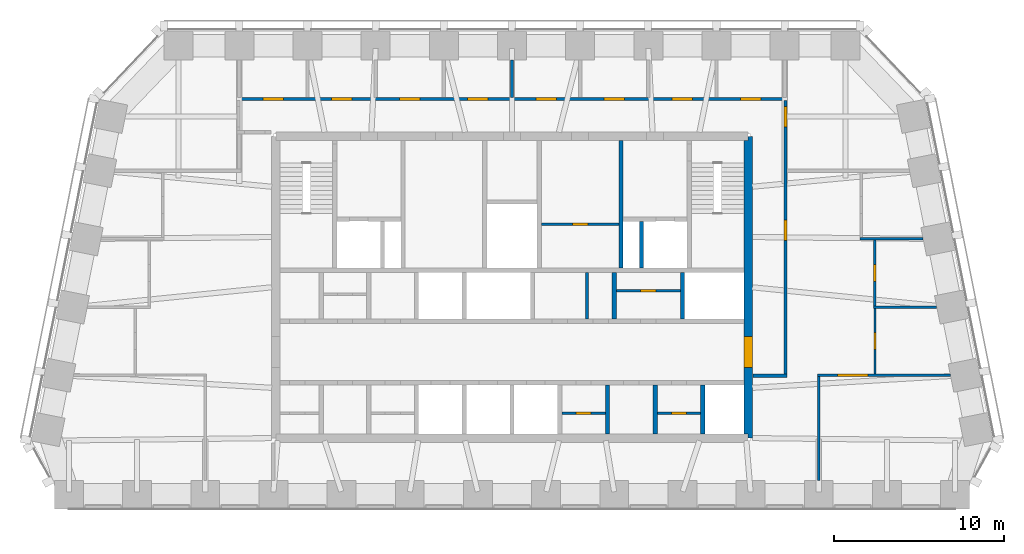
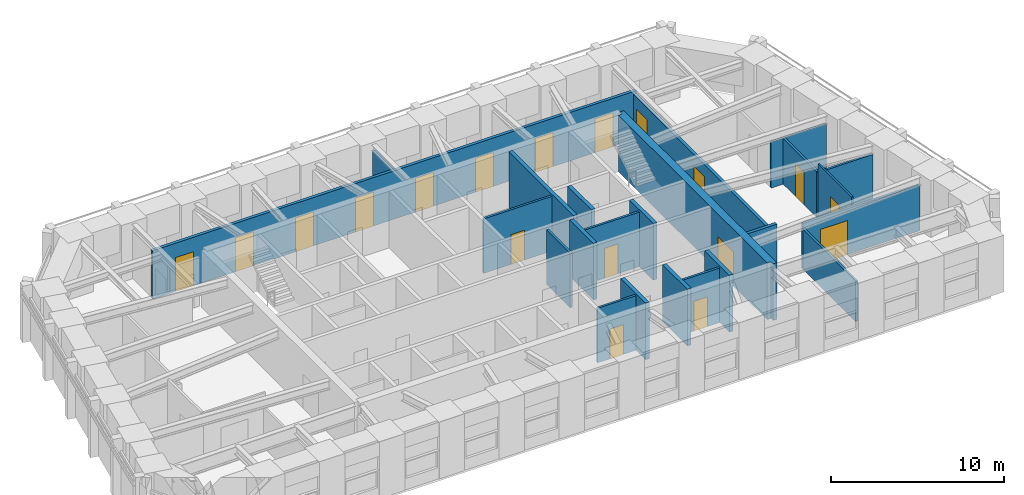
# One storey, part 6 of 9: 23 walls, 18 doors, 18 openings.
"""IFC4 building model written with IfcOpenShell, lengths in metres."""

from ifc_helpers import new_model, si_unit, direction, frame, frame_2d, origin, place, context, subcontext, project, spatial, polyline, rectangle, outline, extrude, material, layer, layer_set, type_object, element, fill, save


model = new_model("IFC4")

# Units and contexts
model_context = context("Model", 3, precision=1e-05, world=origin(), true_north=direction((0.0, 1.0)))
body_context = subcontext(model_context, "Body", "Model", "MODEL_VIEW")
ifc_project = project(units=[si_unit("LENGTHUNIT", "METRE"), si_unit("AREAUNIT", "SQUARE_METRE"), si_unit("VOLUMEUNIT", "CUBIC_METRE"), si_unit("PLANEANGLEUNIT", "RADIAN"), si_unit("MASSUNIT", "GRAM", prefix="KILO")], contexts=[model_context])

# Site, building, storey
site_placement = place(None, origin())
site = spatial("IfcSite", under=ifc_project, at=site_placement, CompositionType="ELEMENT")
building_placement = place(site_placement, origin())
building = spatial("IfcBuilding", under=site, at=building_placement, Name="Isbrekke Arena Tower", CompositionType="ELEMENT")
storey_placement = place(building_placement, frame((0.0, 0.0, 316.0)))
storey = spatial("IfcBuildingStorey", under=building, at=storey_placement, Name="L74", CompositionType="ELEMENT", Elevation=316.0)

# Wall, opening, door
ifc_material_1 = material(Name="Concrete B55 (C55/67)", Category="concrete")
ifc_layer_1 = layer(ifc_material_1, 0.5)
ifc_layer_set_1 = layer_set([ifc_layer_1], Name="CW5 CORE WALL 500")
wall_type_1 = type_object("IfcWallType", Name="CW5 CORE WALL 500", PredefinedType="SHEAR", material=ifc_layer_set_1)
wall_1_placement = place(storey_placement, frame((13.85009765625, 6.14990234375, 0.0), z_axis=(0.0, 0.0, 1.0), x_axis=(0.0, 1.0, 0.0)))
wall_1 = element("IfcWall", 1, at=wall_1_placement, inside=storey, type_object=wall_type_1, Name="Core wall E L74", PredefinedType="SHEAR", context=body_context, shape_type="SweptSolid", body=[
    extrude(outline(polyline([(0.0, -0.25), (17.7001953125, -0.25), (17.7001953125, 0.0), (17.4501953125, 0.0), (17.4501953125, 0.25), (0.25, 0.25), (0.25, 0.0), (0.0, 0.0), (0.0, -0.25)])), origin(), (0.0, 0.0, 1.0), 4.0),
])
opening_1_placement = place(wall_1_placement, frame((4.14990234375, 0.0, 0.0)))
opening_1 = element("IfcOpeningElement", 2, at=opening_1_placement, cuts=wall_1, Name="Opening D1", PredefinedType="OPENING", context=body_context, shape_type="SweptSolid", body=[
    extrude(rectangle(XDim=1.800048828125, YDim=2.39990234375, at=frame_2d((0.89990234375, 1.199951171875))), frame((0.0, 0.264892578125, 0.0), z_axis=(0.0, -1.0, 0.0), x_axis=(1.0, 0.0, 0.0)), (0.0, 0.0, 1.0), 0.52978515625),
])
ifc_material_2 = material(Name="Steel-framed glazed fire door", Category="steel")
door_type_1 = type_object("IfcDoorType", Name="D1 CORE LOBBY DOOR 1800 x 2400", OperationType="DOUBLE_DOOR_SINGLE_SWING", PredefinedType="DOOR", material=ifc_material_2)
door_1_placement = place(opening_1_placement, origin())
door_1 = element("IfcDoor", 3, at=door_1_placement, inside=storey, type_object=door_type_1, Name="D1 lift lobby door east L74", OperationType="DOUBLE_DOOR_SINGLE_SWING", OverallHeight=2.39990234375, OverallWidth=1.800048828125, PredefinedType="DOOR", context=body_context, shape_type="SweptSolid", body=[
    extrude(rectangle(XDim=1.800048828125, YDim=2.39990234375, at=frame_2d((0.89990234375, 1.199951171875))), frame((0.0, 0.249755859375, 0.0), z_axis=(0.0, -1.0, 0.0), x_axis=(1.0, 0.0, 0.0)), (0.0, 0.0, 1.0), 0.49951171875),
])
fill(opening_1, door_1)

# Walls
ifc_material_3 = material(Name="Concrete B45 (C45/55)", Category="concrete")
ifc_layer_2 = layer(ifc_material_3, 0.25)
ifc_layer_set_2 = layer_set([ifc_layer_2], Name="CW6 SHAFT WALL 250")
wall_type_2 = type_object("IfcWallType", Name="CW6 SHAFT WALL 250", PredefinedType="SHEAR", material=ifc_layer_set_2)
for number, where, z_axis, x_axis, name in (
    (4, (5.60009765625, 6.39990234375, 0.0), (0.0, 0.0, 1.0), (0.0, 1.0, 0.0), "Core wall SS07 L74"),
    (5, (8.39990234375, 6.39990234375, 0.0), (0.0, 0.0, 1.0), (0.0, 1.0, 0.0), "Core wall SS08 L74"),
    (6, (11.199951171875, 6.39990234375, 0.0), (0.0, 0.0, 1.0), (0.0, 1.0, 0.0), "Core wall SS09 L74"),
):
    element("IfcWall", number, at=place(storey_placement, frame(where, z_axis=z_axis, x_axis=x_axis)), inside=storey, type_object=wall_type_2, Name=name, PredefinedType="SHEAR", context=body_context, shape_type="SweptSolid", body=[
        extrude(rectangle(XDim=2.875, YDim=0.25, at=frame_2d((1.4375, 0.0))), origin(), (0.0, 0.0, 1.0), 4.0),
    ])
for number, where, z_axis, x_axis, name in (
    (7, (6.0, 13.125, 0.0), (0.0, 0.0, 1.0), (0.0, 1.0, 0.0), "Core wall SN06 L74"),
    (8, (10.0, 13.125, 0.0), (0.0, 0.0, 1.0), (0.0, 1.0, 0.0), "Core wall SN07 L74"),
):
    element("IfcWall", number, at=place(storey_placement, frame(where, z_axis=z_axis, x_axis=x_axis)), inside=storey, type_object=wall_type_2, Name=name, PredefinedType="SHEAR", context=body_context, shape_type="SweptSolid", body=[
        extrude(rectangle(XDim=2.75, YDim=0.25, at=frame_2d((1.375, 0.0))), origin(), (0.0, 0.0, 1.0), 4.0),
    ])
wall_2_placement = place(storey_placement, frame((6.39990234375, 16.125, 0.0), z_axis=(0.0, 0.0, 1.0), x_axis=(0.0, 1.0, 0.0)))
element("IfcWall", 9, at=wall_2_placement, inside=storey, type_object=wall_type_2, Name="Core wall NV05 L74", PredefinedType="SHEAR", context=body_context, shape_type="SweptSolid", body=[
    extrude(rectangle(XDim=7.47509765625, YDim=0.25, at=frame_2d((3.737548828125, 0.0))), origin(), (0.0, 0.0, 1.0), 4.0),
])
wall_3_placement = place(storey_placement, frame((7.60009765625, 16.125, 0.0), z_axis=(0.0, 0.0, 1.0), x_axis=(0.0, 1.0, 0.0)))
element("IfcWall", 10, at=wall_3_placement, inside=storey, type_object=wall_type_2, Name="Core wall NFS2 L74", PredefinedType="SHEAR", context=body_context, shape_type="SweptSolid", body=[
    extrude(rectangle(XDim=2.75, YDim=0.25, at=frame_2d((1.375, 0.0))), origin(), (0.0, 0.0, 1.0), 4.0),
])

# Wall, opening, door
ifc_material_4 = material(Name="Gypsum board partition on steel studs", Category="steel")
ifc_layer_3 = layer(ifc_material_4, 0.14990234375)
ifc_layer_set_3 = layer_set([ifc_layer_3], Name="IW1 PARTITION 150")
wall_type_3 = type_object("IfcWallType", Name="IW1 PARTITION 150", PredefinedType="PARTITIONING", material=ifc_layer_set_3)
wall_4_placement = place(storey_placement, frame((17.925048828125, 9.840087890625, 0.0), z_axis=(0.0, 0.0, 1.0), x_axis=(1.0, 0.0, 0.0)))
wall_4 = element("IfcWall", 11, at=wall_4_placement, inside=storey, type_object=wall_type_3, Name="IW1 partition 150 L74", PredefinedType="PARTITIONING", context=body_context, shape_type="SweptSolid", body=[
    extrude(rectangle(XDim=7.798828125, YDim=0.14990234375, at=frame_2d((3.8994140625, 0.0))), origin(), (0.0, 0.0, 1.0), 3.22998046875),
])
opening_2_placement = place(wall_4_placement, frame((1.175048828125, 0.0, 0.0)))
opening_2 = element("IfcOpeningElement", 12, at=opening_2_placement, cuts=wall_4, Name="Opening D13", PredefinedType="OPENING", context=body_context, shape_type="SweptSolid", body=[
    extrude(rectangle(XDim=1.800048828125, YDim=2.39990234375, at=frame_2d((0.89990234375, 1.199951171875))), frame((0.0, 0.08984375, 0.0), z_axis=(0.0, -1.0, 0.0), x_axis=(1.0, 0.0, 0.0)), (0.0, 0.0, 1.0), 0.1796875),
])
ifc_material_5 = material(Name="Timber door pair", Category="wood")
door_type_2 = type_object("IfcDoorType", Name="D13 DOUBLE ROOM DOOR 1800 x 2400", OperationType="DOUBLE_DOOR_SINGLE_SWING", PredefinedType="DOOR", material=ifc_material_5)
door_2_placement = place(opening_2_placement, origin())
door_2 = element("IfcDoor", 13, at=door_2_placement, inside=storey, type_object=door_type_2, Name="D13 chairman's office door L74", OperationType="DOUBLE_DOOR_SINGLE_SWING", OverallHeight=2.39990234375, OverallWidth=1.800048828125, PredefinedType="DOOR", context=body_context, shape_type="SweptSolid", body=[
    extrude(rectangle(XDim=1.800048828125, YDim=2.39990234375, at=frame_2d((0.89990234375, 1.199951171875))), frame((0.0, 0.07470703125, 0.0), z_axis=(0.0, -1.0, 0.0), x_axis=(1.0, 0.0, 0.0)), (0.0, 0.0, 1.0), 0.1494140625),
])
fill(opening_2, door_2)

# Walls
for number, where, z_axis, x_axis, name in (
    (14, (21.22509765625, 13.840087890625, 0.0), (0.0, 0.0, 1.0), (1.0, 0.0, 0.0), "IW1 partition 150 L74"),
    (15, (20.425048828125, 17.840087890625, 0.0), (0.0, 0.0, 1.0), (1.0, 0.0, 0.0), "IW1 partition 150 L74"),
):
    element("IfcWall", number, at=place(storey_placement, frame(where, z_axis=z_axis, x_axis=x_axis)), inside=storey, type_object=wall_type_3, Name=name, PredefinedType="PARTITIONING", context=body_context, shape_type="SweptSolid", body=[
        extrude(rectangle(XDim=3.69873046875, YDim=0.14990234375, at=frame_2d((1.849365234375, 0.0))), origin(), (0.0, 0.0, 1.0), 3.22998046875),
    ])
wall_5_placement = place(storey_placement, frame((18.0, 3.675048828125, 0.0), z_axis=(0.0, 0.0, 1.0), x_axis=(0.0, 1.0, 0.0)))
element("IfcWall", 16, at=wall_5_placement, inside=storey, type_object=wall_type_3, Name="IW1 partition 150 L74", PredefinedType="PARTITIONING", context=body_context, shape_type="SweptSolid", body=[
    extrude(rectangle(XDim=6.08984375, YDim=0.14990234375, at=frame_2d((3.044921875, 0.0))), origin(), (0.0, 0.0, 1.0), 2.842041015625),
])

# Wall, opening, door
wall_6_placement = place(storey_placement, frame((21.300048828125, 13.9150390625, 0.0), z_axis=(0.0, 0.0, 1.0), x_axis=(0.0, 1.0, 0.0)))
wall_6 = element("IfcWall", 17, at=wall_6_placement, inside=storey, type_object=wall_type_3, Name="IW1 partition 150 L74", PredefinedType="PARTITIONING", context=body_context, shape_type="SweptSolid", body=[
    extrude(rectangle(XDim=3.849853515625, YDim=0.14990234375, at=frame_2d((1.9248046875, 0.0))), origin(), (0.0, 0.0, 1.0), 3.22998046875),
])
opening_3_placement = place(wall_6_placement, frame((1.425048828125, 0.0, 0.0)))
opening_3 = element("IfcOpeningElement", 18, at=opening_3_placement, cuts=wall_6, Name="Opening D10", PredefinedType="OPENING", context=body_context, shape_type="SweptSolid", body=[
    extrude(rectangle(XDim=1.0, YDim=2.300048828125, at=frame_2d((0.5, 1.14990234375))), frame((0.0, 0.08984375, 0.0), z_axis=(0.0, -1.0, 0.0), x_axis=(1.0, 0.0, 0.0)), (0.0, 0.0, 1.0), 0.1796875),
])
ifc_material_6 = material(Name="Timber door", Category="wood")
door_type_3 = type_object("IfcDoorType", Name="D10 OFFICE DOOR 1000 x 2300", OperationType="SINGLE_SWING_LEFT", PredefinedType="DOOR", material=ifc_material_6)
door_3_placement = place(opening_3_placement, origin())
door_3 = element("IfcDoor", 19, at=door_3_placement, inside=storey, type_object=door_type_3, Name="D10 executive office door L74", OperationType="SINGLE_SWING_LEFT", OverallHeight=2.300048828125, OverallWidth=1.0, PredefinedType="DOOR", context=body_context, shape_type="SweptSolid", body=[
    extrude(rectangle(XDim=1.0, YDim=2.300048828125, at=frame_2d((0.5, 1.14990234375))), frame((0.0, 0.07470703125, 0.0), z_axis=(0.0, -1.0, 0.0), x_axis=(1.0, 0.0, 0.0)), (0.0, 0.0, 1.0), 0.1494140625),
])
fill(opening_3, door_3)

ifc_material_7 = material(Name="Frameless glazed partition, laminated acoustic glass", Category="glass")
ifc_layer_4 = layer(ifc_material_7, 0.1201171875)
ifc_layer_set_4 = layer_set([ifc_layer_4], Name="IW2 GLAZED PARTITION 120")
wall_type_4 = type_object("IfcWallType", Name="IW2 GLAZED PARTITION 120", PredefinedType="PARTITIONING", material=ifc_layer_set_4)
wall_7_placement = place(storey_placement, frame((21.300048828125, 9.9150390625, 0.0), z_axis=(0.0, 0.0, 1.0), x_axis=(0.0, 1.0, 0.0)))
wall_7 = element("IfcWall", 20, at=wall_7_placement, inside=storey, type_object=wall_type_4, Name="IW2 glazed partition 120 L74", PredefinedType="PARTITIONING", context=body_context, shape_type="SweptSolid", body=[
    extrude(rectangle(XDim=3.849853515625, YDim=0.1201171875, at=frame_2d((1.9248046875, 0.0))), origin(), (0.0, 0.0, 1.0), 3.85009765625),
])
opening_4_placement = place(wall_7_placement, frame((1.425048828125, 0.0, 0.0)))
opening_4 = element("IfcOpeningElement", 21, at=opening_4_placement, cuts=wall_7, Name="Opening D11", PredefinedType="OPENING", context=body_context, shape_type="SweptSolid", body=[
    extrude(rectangle(XDim=1.0, YDim=2.39990234375, at=frame_2d((0.5, 1.199951171875))), frame((0.0, 0.074951171875, 0.0), z_axis=(0.0, -1.0, 0.0), x_axis=(1.0, 0.0, 0.0)), (0.0, 0.0, 1.0), 0.14990234375),
])
ifc_material_8 = material(Name="Frameless glazed door", Category="glass")
door_type_4 = type_object("IfcDoorType", Name="D11 GLAZED MEETING ROOM DOOR 1000 x 2400", OperationType="SINGLE_SWING_RIGHT", PredefinedType="DOOR", material=ifc_material_8)
door_4_placement = place(opening_4_placement, origin())
door_4 = element("IfcDoor", 22, at=door_4_placement, inside=storey, type_object=door_type_4, Name="D11 meeting room door L74", OperationType="SINGLE_SWING_RIGHT", OverallHeight=2.39990234375, OverallWidth=1.0, PredefinedType="DOOR", context=body_context, shape_type="SweptSolid", body=[
    extrude(rectangle(XDim=1.0, YDim=2.39990234375, at=frame_2d((0.5, 1.199951171875))), frame((0.0, 0.059814453125, 0.0), z_axis=(0.0, -1.0, 0.0), x_axis=(1.0, 0.0, 0.0)), (0.0, 0.0, 1.0), 0.11962890625),
])
fill(opening_4, door_4)

# Wall
ifc_material_9 = material(Name="Gypsum board fire-cell wall on steel studs, two layers each side", Category="steel")
ifc_layer_5 = layer(ifc_material_9, 0.199951171875)
ifc_layer_set_5 = layer_set([ifc_layer_5], Name="IW3 FIRE-CELL WALL 200")
wall_type_5 = type_object("IfcWallType", Name="IW3 FIRE-CELL WALL 200", PredefinedType="PARTITIONING", material=ifc_layer_set_5)
wall_8_placement = place(storey_placement, frame((14.1298828125, 9.800048828125, 0.0), z_axis=(0.0, 0.0, 1.0), x_axis=(1.0, 0.0, 0.0)))
element("IfcWall", 23, at=wall_8_placement, inside=storey, type_object=wall_type_5, Name="IW3 fire-cell wall 200 L74", PredefinedType="PARTITIONING", context=body_context, shape_type="SweptSolid", body=[
    extrude(rectangle(XDim=2.02001953125, YDim=0.199951171875, at=frame_2d((1.010009765625, 0.0))), origin(), (0.0, 0.0, 1.0), 3.85009765625),
])

# Wall, openings, doors
wall_9_placement = place(storey_placement, frame((-16.14990234375, 26.050048828125, 0.0), z_axis=(0.0, 0.0, 1.0), x_axis=(1.0, 0.0, 0.0)))
wall_9 = element("IfcWall", 24, at=wall_9_placement, inside=storey, type_object=wall_type_5, Name="IW3 fire-cell wall 200 L74", PredefinedType="PARTITIONING", context=body_context, shape_type="SweptSolid", body=[
    extrude(rectangle(XDim=32.2998046875, YDim=0.199951171875, at=frame_2d((16.14990234375, 0.0))), origin(), (0.0, 0.0, 1.0), 3.41796875),
])
opening_5_placement = place(wall_9_placement, frame((1.550048828125, 0.0, 0.0)))
opening_5 = element("IfcOpeningElement", 25, at=opening_5_placement, cuts=wall_9, Name="Opening D12", PredefinedType="OPENING", context=body_context, shape_type="SweptSolid", body=[
    extrude(rectangle(XDim=1.199951171875, YDim=2.39990234375, at=frame_2d((0.60009765625, 1.199951171875))), frame((0.0, 0.11474609375, 0.0), z_axis=(0.0, -1.0, 0.0), x_axis=(1.0, 0.0, 0.0)), (0.0, 0.0, 1.0), 0.229736328125),
])
opening_6_placement = place(wall_9_placement, frame((5.550048828125, 0.0, 0.0)))
opening_6 = element("IfcOpeningElement", 26, at=opening_6_placement, cuts=wall_9, Name="Opening D12", PredefinedType="OPENING", context=body_context, shape_type="SweptSolid", body=[
    extrude(rectangle(XDim=1.199951171875, YDim=2.39990234375, at=frame_2d((0.60009765625, 1.199951171875))), frame((0.0, 0.11474609375, 0.0), z_axis=(0.0, -1.0, 0.0), x_axis=(1.0, 0.0, 0.0)), (0.0, 0.0, 1.0), 0.229736328125),
])
opening_7_placement = place(wall_9_placement, frame((9.550048828125, 0.0, 0.0)))
opening_7 = element("IfcOpeningElement", 27, at=opening_7_placement, cuts=wall_9, Name="Opening D12", PredefinedType="OPENING", context=body_context, shape_type="SweptSolid", body=[
    extrude(rectangle(XDim=1.199951171875, YDim=2.39990234375, at=frame_2d((0.60009765625, 1.199951171875))), frame((0.0, 0.11474609375, 0.0), z_axis=(0.0, -1.0, 0.0), x_axis=(1.0, 0.0, 0.0)), (0.0, 0.0, 1.0), 0.229736328125),
])
opening_8_placement = place(wall_9_placement, frame((13.550048828125, 0.0, 0.0)))
opening_8 = element("IfcOpeningElement", 28, at=opening_8_placement, cuts=wall_9, Name="Opening D12", PredefinedType="OPENING", context=body_context, shape_type="SweptSolid", body=[
    extrude(rectangle(XDim=1.199951171875, YDim=2.39990234375, at=frame_2d((0.60009765625, 1.199951171875))), frame((0.0, 0.11474609375, 0.0), z_axis=(0.0, -1.0, 0.0), x_axis=(1.0, 0.0, 0.0)), (0.0, 0.0, 1.0), 0.229736328125),
])
opening_9_placement = place(wall_9_placement, frame((17.550048828125, 0.0, 0.0)))
opening_9 = element("IfcOpeningElement", 29, at=opening_9_placement, cuts=wall_9, Name="Opening D12", PredefinedType="OPENING", context=body_context, shape_type="SweptSolid", body=[
    extrude(rectangle(XDim=1.199951171875, YDim=2.39990234375, at=frame_2d((0.60009765625, 1.199951171875))), frame((0.0, 0.11474609375, 0.0), z_axis=(0.0, -1.0, 0.0), x_axis=(1.0, 0.0, 0.0)), (0.0, 0.0, 1.0), 0.229736328125),
])
opening_10_placement = place(wall_9_placement, frame((21.550048828125, 0.0, 0.0)))
opening_10 = element("IfcOpeningElement", 30, at=opening_10_placement, cuts=wall_9, Name="Opening D12", PredefinedType="OPENING", context=body_context, shape_type="SweptSolid", body=[
    extrude(rectangle(XDim=1.199951171875, YDim=2.39990234375, at=frame_2d((0.60009765625, 1.199951171875))), frame((0.0, 0.11474609375, 0.0), z_axis=(0.0, -1.0, 0.0), x_axis=(1.0, 0.0, 0.0)), (0.0, 0.0, 1.0), 0.229736328125),
])
opening_11_placement = place(wall_9_placement, frame((25.550048828125, 0.0, 0.0)))
opening_11 = element("IfcOpeningElement", 31, at=opening_11_placement, cuts=wall_9, Name="Opening D12", PredefinedType="OPENING", context=body_context, shape_type="SweptSolid", body=[
    extrude(rectangle(XDim=1.199951171875, YDim=2.39990234375, at=frame_2d((0.60009765625, 1.199951171875))), frame((0.0, 0.11474609375, 0.0), z_axis=(0.0, -1.0, 0.0), x_axis=(1.0, 0.0, 0.0)), (0.0, 0.0, 1.0), 0.229736328125),
])
opening_12_placement = place(wall_9_placement, frame((29.550048828125, 0.0, 0.0)))
opening_12 = element("IfcOpeningElement", 32, at=opening_12_placement, cuts=wall_9, Name="Opening D12", PredefinedType="OPENING", context=body_context, shape_type="SweptSolid", body=[
    extrude(rectangle(XDim=1.199951171875, YDim=2.39990234375, at=frame_2d((0.60009765625, 1.199951171875))), frame((0.0, 0.11474609375, 0.0), z_axis=(0.0, -1.0, 0.0), x_axis=(1.0, 0.0, 0.0)), (0.0, 0.0, 1.0), 0.229736328125),
])
ifc_material_10 = material(Name="Timber fire door with vision panel", Category="wood")
door_type_5 = type_object("IfcDoorType", Name="D12 SUITE ENTRANCE DOOR 1200 x 2400", OperationType="SINGLE_SWING_LEFT", PredefinedType="DOOR", material=ifc_material_10)
door_5_placement = place(opening_5_placement, origin())
door_5 = element("IfcDoor", 33, at=door_5_placement, inside=storey, type_object=door_type_5, Name="D12 suite entrance NB1 door L74", OperationType="SINGLE_SWING_LEFT", OverallHeight=2.39990234375, OverallWidth=1.199951171875, PredefinedType="DOOR", context=body_context, shape_type="SweptSolid", body=[
    extrude(rectangle(XDim=1.199951171875, YDim=2.39990234375, at=frame_2d((0.60009765625, 1.199951171875))), frame((0.0, 0.099609375, 0.0), z_axis=(0.0, -1.0, 0.0), x_axis=(1.0, 0.0, 0.0)), (0.0, 0.0, 1.0), 0.199462890625),
])
fill(opening_5, door_5)
door_6_placement = place(opening_6_placement, origin())
door_6 = element("IfcDoor", 34, at=door_6_placement, inside=storey, type_object=door_type_5, Name="D12 suite entrance NB2 door L74", OperationType="SINGLE_SWING_LEFT", OverallHeight=2.39990234375, OverallWidth=1.199951171875, PredefinedType="DOOR", context=body_context, shape_type="SweptSolid", body=[
    extrude(rectangle(XDim=1.199951171875, YDim=2.39990234375, at=frame_2d((0.60009765625, 1.199951171875))), frame((0.0, 0.099609375, 0.0), z_axis=(0.0, -1.0, 0.0), x_axis=(1.0, 0.0, 0.0)), (0.0, 0.0, 1.0), 0.199462890625),
])
fill(opening_6, door_6)
door_7_placement = place(opening_7_placement, origin())
door_7 = element("IfcDoor", 35, at=door_7_placement, inside=storey, type_object=door_type_5, Name="D12 suite entrance NB3 door L74", OperationType="SINGLE_SWING_LEFT", OverallHeight=2.39990234375, OverallWidth=1.199951171875, PredefinedType="DOOR", context=body_context, shape_type="SweptSolid", body=[
    extrude(rectangle(XDim=1.199951171875, YDim=2.39990234375, at=frame_2d((0.60009765625, 1.199951171875))), frame((0.0, 0.099609375, 0.0), z_axis=(0.0, -1.0, 0.0), x_axis=(1.0, 0.0, 0.0)), (0.0, 0.0, 1.0), 0.199462890625),
])
fill(opening_7, door_7)
door_8_placement = place(opening_8_placement, origin())
door_8 = element("IfcDoor", 36, at=door_8_placement, inside=storey, type_object=door_type_5, Name="D12 suite entrance NB4 door L74", OperationType="SINGLE_SWING_LEFT", OverallHeight=2.39990234375, OverallWidth=1.199951171875, PredefinedType="DOOR", context=body_context, shape_type="SweptSolid", body=[
    extrude(rectangle(XDim=1.199951171875, YDim=2.39990234375, at=frame_2d((0.60009765625, 1.199951171875))), frame((0.0, 0.099609375, 0.0), z_axis=(0.0, -1.0, 0.0), x_axis=(1.0, 0.0, 0.0)), (0.0, 0.0, 1.0), 0.199462890625),
])
fill(opening_8, door_8)
door_9_placement = place(opening_9_placement, origin())
door_9 = element("IfcDoor", 37, at=door_9_placement, inside=storey, type_object=door_type_5, Name="D12 suite entrance NB5 door L74", OperationType="SINGLE_SWING_LEFT", OverallHeight=2.39990234375, OverallWidth=1.199951171875, PredefinedType="DOOR", context=body_context, shape_type="SweptSolid", body=[
    extrude(rectangle(XDim=1.199951171875, YDim=2.39990234375, at=frame_2d((0.60009765625, 1.199951171875))), frame((0.0, 0.099609375, 0.0), z_axis=(0.0, -1.0, 0.0), x_axis=(1.0, 0.0, 0.0)), (0.0, 0.0, 1.0), 0.199462890625),
])
fill(opening_9, door_9)
door_10_placement = place(opening_10_placement, origin())
door_10 = element("IfcDoor", 38, at=door_10_placement, inside=storey, type_object=door_type_5, Name="D12 suite entrance NB6 door L74", OperationType="SINGLE_SWING_LEFT", OverallHeight=2.39990234375, OverallWidth=1.199951171875, PredefinedType="DOOR", context=body_context, shape_type="SweptSolid", body=[
    extrude(rectangle(XDim=1.199951171875, YDim=2.39990234375, at=frame_2d((0.60009765625, 1.199951171875))), frame((0.0, 0.099609375, 0.0), z_axis=(0.0, -1.0, 0.0), x_axis=(1.0, 0.0, 0.0)), (0.0, 0.0, 1.0), 0.199462890625),
])
fill(opening_10, door_10)
door_11_placement = place(opening_11_placement, origin())
door_11 = element("IfcDoor", 39, at=door_11_placement, inside=storey, type_object=door_type_5, Name="D12 suite entrance NB7 door L74", OperationType="SINGLE_SWING_LEFT", OverallHeight=2.39990234375, OverallWidth=1.199951171875, PredefinedType="DOOR", context=body_context, shape_type="SweptSolid", body=[
    extrude(rectangle(XDim=1.199951171875, YDim=2.39990234375, at=frame_2d((0.60009765625, 1.199951171875))), frame((0.0, 0.099609375, 0.0), z_axis=(0.0, -1.0, 0.0), x_axis=(1.0, 0.0, 0.0)), (0.0, 0.0, 1.0), 0.199462890625),
])
fill(opening_11, door_11)
door_12_placement = place(opening_12_placement, origin())
door_12 = element("IfcDoor", 40, at=door_12_placement, inside=storey, type_object=door_type_5, Name="D12 suite entrance NB8 door L74", OperationType="SINGLE_SWING_LEFT", OverallHeight=2.39990234375, OverallWidth=1.199951171875, PredefinedType="DOOR", context=body_context, shape_type="SweptSolid", body=[
    extrude(rectangle(XDim=1.199951171875, YDim=2.39990234375, at=frame_2d((0.60009765625, 1.199951171875))), frame((0.0, 0.099609375, 0.0), z_axis=(0.0, -1.0, 0.0), x_axis=(1.0, 0.0, 0.0)), (0.0, 0.0, 1.0), 0.199462890625),
])
fill(opening_12, door_12)

# Wall
wall_10_placement = place(storey_placement, frame((0.0, 26.14990234375, 0.0), z_axis=(0.0, 0.0, 1.0), x_axis=(0.0, 1.0, 0.0)))
element("IfcWall", 41, at=wall_10_placement, inside=storey, type_object=wall_type_5, Name="IW3 fire-cell wall 200 L74", PredefinedType="PARTITIONING", context=body_context, shape_type="SweptSolid", body=[
    extrude(rectangle(XDim=2.175048828125, YDim=0.199951171875, at=frame_2d((1.08740234375, 0.0))), origin(), (0.0, 0.0, 1.0), 3.41796875),
])

# Wall, openings, doors
wall_11_placement = place(storey_placement, frame((16.050048828125, 9.89990234375, 0.0), z_axis=(0.0, 0.0, 1.0), x_axis=(0.0, 1.0, 0.0)))
wall_11 = element("IfcWall", 42, at=wall_11_placement, inside=storey, type_object=wall_type_5, Name="IW3 fire-cell wall 200 L74", PredefinedType="PARTITIONING", context=body_context, shape_type="SweptSolid", body=[
    extrude(rectangle(XDim=16.050048828125, YDim=0.199951171875, at=frame_2d((8.02490234375, 0.0))), origin(), (0.0, 0.0, 1.0), 3.22998046875),
])
opening_13_placement = place(wall_11_placement, frame((14.5, 0.0, 0.0)))
opening_13 = element("IfcOpeningElement", 43, at=opening_13_placement, cuts=wall_11, Name="Opening D12", PredefinedType="OPENING", context=body_context, shape_type="SweptSolid", body=[
    extrude(rectangle(XDim=1.199951171875, YDim=2.39990234375, at=frame_2d((0.60009765625, 1.199951171875))), frame((0.0, 0.11474609375, 0.0), z_axis=(0.0, -1.0, 0.0), x_axis=(1.0, 0.0, 0.0)), (0.0, 0.0, 1.0), 0.229736328125),
])
opening_14_placement = place(wall_11_placement, frame((7.85009765625, 0.0, 0.0)))
opening_14 = element("IfcOpeningElement", 44, at=opening_14_placement, cuts=wall_11, Name="Opening D12", PredefinedType="OPENING", context=body_context, shape_type="SweptSolid", body=[
    extrude(rectangle(XDim=1.199951171875, YDim=2.39990234375, at=frame_2d((0.60009765625, 1.199951171875))), frame((0.0, 0.11474609375, 0.0), z_axis=(0.0, -1.0, 0.0), x_axis=(1.0, 0.0, 0.0)), (0.0, 0.0, 1.0), 0.229736328125),
])
door_13_placement = place(opening_13_placement, origin())
door_13 = element("IfcDoor", 45, at=door_13_placement, inside=storey, type_object=door_type_5, Name="D12 suite entrance NCE door L74", OperationType="SINGLE_SWING_LEFT", OverallHeight=2.39990234375, OverallWidth=1.199951171875, PredefinedType="DOOR", context=body_context, shape_type="SweptSolid", body=[
    extrude(rectangle(XDim=1.199951171875, YDim=2.39990234375, at=frame_2d((0.60009765625, 1.199951171875))), frame((0.0, 0.099609375, 0.0), z_axis=(0.0, -1.0, 0.0), x_axis=(1.0, 0.0, 0.0)), (0.0, 0.0, 1.0), 0.199462890625),
])
fill(opening_13, door_13)
door_14_placement = place(opening_14_placement, frame((1.199951171875, 0.0, 0.0), z_axis=(0.0, 0.0, 1.0), x_axis=(-1.0, 0.0, 0.0)))
door_14 = element("IfcDoor", 46, at=door_14_placement, inside=storey, type_object=door_type_5, Name="D12 suite entrance E door L74", OperationType="SINGLE_SWING_LEFT", OverallHeight=2.39990234375, OverallWidth=1.199951171875, PredefinedType="DOOR", context=body_context, shape_type="SweptSolid", body=[
    extrude(rectangle(XDim=1.199951171875, YDim=2.39990234375, at=frame_2d((0.60009765625, 1.199951171875))), frame((0.0, 0.099609375, 0.0), z_axis=(0.0, -1.0, 0.0), x_axis=(1.0, 0.0, 0.0)), (0.0, 0.0, 1.0), 0.199462890625),
])
fill(opening_14, door_14)

# Wall, opening, door
ifc_material_11 = material(Name="Gypsum board fire-rated partition on steel studs, two layers each side", Category="steel")
ifc_layer_6 = layer(ifc_material_11, 0.14990234375)
ifc_layer_set_6 = layer_set([ifc_layer_6], Name="IW5 FIRE-RATED PARTITION 150")
wall_type_6 = type_object("IfcWallType", Name="IW5 FIRE-RATED PARTITION 150", PredefinedType="PARTITIONING", material=ifc_layer_set_6)
wall_12_placement = place(storey_placement, frame((1.72509765625, 18.699951171875, 0.0), z_axis=(0.0, 0.0, 1.0), x_axis=(1.0, 0.0, 0.0)))
wall_12 = element("IfcWall", 47, at=wall_12_placement, inside=storey, type_object=wall_type_6, Name="IW5 fire-rated partition L74 cleaner's store M", PredefinedType="PARTITIONING", context=body_context, shape_type="SweptSolid", body=[
    extrude(rectangle(XDim=4.5498046875, YDim=0.14990234375, at=frame_2d((2.27490234375, 0.0))), origin(), (0.0, 0.0, 1.0), 3.85009765625),
])
opening_15_placement = place(wall_12_placement, frame((1.824951171875, 0.0, 0.0)))
opening_15 = element("IfcOpeningElement", 48, at=opening_15_placement, cuts=wall_12, Name="Opening D5", PredefinedType="OPENING", context=body_context, shape_type="SweptSolid", body=[
    extrude(rectangle(XDim=0.89990234375, YDim=2.10009765625, at=frame_2d((0.449951171875, 1.050048828125))), frame((0.0, 0.08984375, 0.0), z_axis=(0.0, -1.0, 0.0), x_axis=(1.0, 0.0, 0.0)), (0.0, 0.0, 1.0), 0.1796875),
])
ifc_material_12 = material(Name="Steel fire door", Category="steel")
door_type_6 = type_object("IfcDoorType", Name="D5 SERVICE DOOR 900 x 2100", OperationType="SINGLE_SWING_LEFT", PredefinedType="DOOR", material=ifc_material_12)
door_15_placement = place(opening_15_placement, origin())
door_15 = element("IfcDoor", 49, at=door_15_placement, inside=storey, type_object=door_type_6, Name="D5 cleaner's store door L74", OperationType="SINGLE_SWING_LEFT", OverallHeight=2.10009765625, OverallWidth=0.89990234375, PredefinedType="DOOR", context=body_context, shape_type="SweptSolid", body=[
    extrude(rectangle(XDim=0.89990234375, YDim=2.10009765625, at=frame_2d((0.449951171875, 1.050048828125))), frame((0.0, 0.07470703125, 0.0), z_axis=(0.0, -1.0, 0.0), x_axis=(1.0, 0.0, 0.0)), (0.0, 0.0, 1.0), 0.1494140625),
])
fill(opening_15, door_15)

# Wall
wall_13_placement = place(storey_placement, frame((4.39990234375, 13.125, 0.0), z_axis=(0.0, 0.0, 1.0), x_axis=(0.0, 1.0, 0.0)))
element("IfcWall", 50, at=wall_13_placement, inside=storey, type_object=wall_type_6, Name="IW5 fire-rated partition L74 core service rooms 1", PredefinedType="PARTITIONING", context=body_context, shape_type="SweptSolid", body=[
    extrude(rectangle(XDim=2.75, YDim=0.14990234375, at=frame_2d((1.375, 0.0))), origin(), (0.0, 0.0, 1.0), 3.85009765625),
])

# Wall, opening, door
wall_14_placement = place(storey_placement, frame((6.125, 14.800048828125, 0.0), z_axis=(0.0, 0.0, 1.0), x_axis=(1.0, 0.0, 0.0)))
wall_14 = element("IfcWall", 51, at=wall_14_placement, inside=storey, type_object=wall_type_6, Name="IW5 fire-rated partition L74 core service rooms 2", PredefinedType="PARTITIONING", context=body_context, shape_type="SweptSolid", body=[
    extrude(rectangle(XDim=3.75, YDim=0.14990234375, at=frame_2d((1.875, 0.0))), origin(), (0.0, 0.0, 1.0), 3.85009765625),
])
opening_16_placement = place(wall_14_placement, frame((1.425048828125, 0.0, 0.0)))
opening_16 = element("IfcOpeningElement", 52, at=opening_16_placement, cuts=wall_14, Name="Opening D5", PredefinedType="OPENING", context=body_context, shape_type="SweptSolid", body=[
    extrude(rectangle(XDim=0.89990234375, YDim=2.10009765625, at=frame_2d((0.449951171875, 1.050048828125))), frame((0.0, 0.08984375, 0.0), z_axis=(0.0, -1.0, 0.0), x_axis=(1.0, 0.0, 0.0)), (0.0, 0.0, 1.0), 0.1796875),
])
door_16_placement = place(opening_16_placement, origin())
door_16 = element("IfcDoor", 53, at=door_16_placement, inside=storey, type_object=door_type_6, Name="D5 technical room door L74", OperationType="SINGLE_SWING_LEFT", OverallHeight=2.10009765625, OverallWidth=0.89990234375, PredefinedType="DOOR", context=body_context, shape_type="SweptSolid", body=[
    extrude(rectangle(XDim=0.89990234375, YDim=2.10009765625, at=frame_2d((0.449951171875, 1.050048828125))), frame((0.0, 0.07470703125, 0.0), z_axis=(0.0, -1.0, 0.0), x_axis=(1.0, 0.0, 0.0)), (0.0, 0.0, 1.0), 0.1494140625),
])
fill(opening_16, door_16)

wall_15_placement = place(storey_placement, frame((2.925048828125, 7.60009765625, 0.0), z_axis=(0.0, 0.0, 1.0), x_axis=(1.0, 0.0, 0.0)))
wall_15 = element("IfcWall", 54, at=wall_15_placement, inside=storey, type_object=wall_type_6, Name="IW5 fire-rated partition L74 core service rooms 6", PredefinedType="PARTITIONING", context=body_context, shape_type="SweptSolid", body=[
    extrude(rectangle(XDim=2.550048828125, YDim=0.14990234375, at=frame_2d((1.27490234375, 0.0))), origin(), (0.0, 0.0, 1.0), 3.85009765625),
])
opening_17_placement = place(wall_15_placement, frame((0.824951171875, 0.0, 0.0)))
opening_17 = element("IfcOpeningElement", 55, at=opening_17_placement, cuts=wall_15, Name="Opening D5", PredefinedType="OPENING", context=body_context, shape_type="SweptSolid", body=[
    extrude(rectangle(XDim=0.89990234375, YDim=2.10009765625, at=frame_2d((0.449951171875, 1.050048828125))), frame((0.0, 0.08984375, 0.0), z_axis=(0.0, -1.0, 0.0), x_axis=(1.0, 0.0, 0.0)), (0.0, 0.0, 1.0), 0.1796875),
])
door_17_placement = place(opening_17_placement, origin())
door_17 = element("IfcDoor", 56, at=door_17_placement, inside=storey, type_object=door_type_6, Name="D5 archive door L74", OperationType="SINGLE_SWING_LEFT", OverallHeight=2.10009765625, OverallWidth=0.89990234375, PredefinedType="DOOR", context=body_context, shape_type="SweptSolid", body=[
    extrude(rectangle(XDim=0.89990234375, YDim=2.10009765625, at=frame_2d((0.449951171875, 1.050048828125))), frame((0.0, 0.07470703125, 0.0), z_axis=(0.0, -1.0, 0.0), x_axis=(1.0, 0.0, 0.0)), (0.0, 0.0, 1.0), 0.1494140625),
])
fill(opening_17, door_17)

wall_16_placement = place(storey_placement, frame((8.52490234375, 7.60009765625, 0.0), z_axis=(0.0, 0.0, 1.0), x_axis=(1.0, 0.0, 0.0)))
wall_16 = element("IfcWall", 57, at=wall_16_placement, inside=storey, type_object=wall_type_6, Name="IW5 fire-rated partition L74 core service rooms 7", PredefinedType="PARTITIONING", context=body_context, shape_type="SweptSolid", body=[
    extrude(rectangle(XDim=2.550048828125, YDim=0.14990234375, at=frame_2d((1.27490234375, 0.0))), origin(), (0.0, 0.0, 1.0), 3.85009765625),
])
opening_18_placement = place(wall_16_placement, frame((0.824951171875, 0.0, 0.0)))
opening_18 = element("IfcOpeningElement", 58, at=opening_18_placement, cuts=wall_16, Name="Opening D5", PredefinedType="OPENING", context=body_context, shape_type="SweptSolid", body=[
    extrude(rectangle(XDim=0.89990234375, YDim=2.10009765625, at=frame_2d((0.449951171875, 1.050048828125))), frame((0.0, 0.08984375, 0.0), z_axis=(0.0, -1.0, 0.0), x_axis=(1.0, 0.0, 0.0)), (0.0, 0.0, 1.0), 0.1796875),
])
door_18_placement = place(opening_18_placement, origin())
door_18 = element("IfcDoor", 59, at=door_18_placement, inside=storey, type_object=door_type_6, Name="D5 tenant store door L74", OperationType="SINGLE_SWING_LEFT", OverallHeight=2.10009765625, OverallWidth=0.89990234375, PredefinedType="DOOR", context=body_context, shape_type="SweptSolid", body=[
    extrude(rectangle(XDim=0.89990234375, YDim=2.10009765625, at=frame_2d((0.449951171875, 1.050048828125))), frame((0.0, 0.07470703125, 0.0), z_axis=(0.0, -1.0, 0.0), x_axis=(1.0, 0.0, 0.0)), (0.0, 0.0, 1.0), 0.1494140625),
])
fill(opening_18, door_18)

save(model, "model.ifc")
